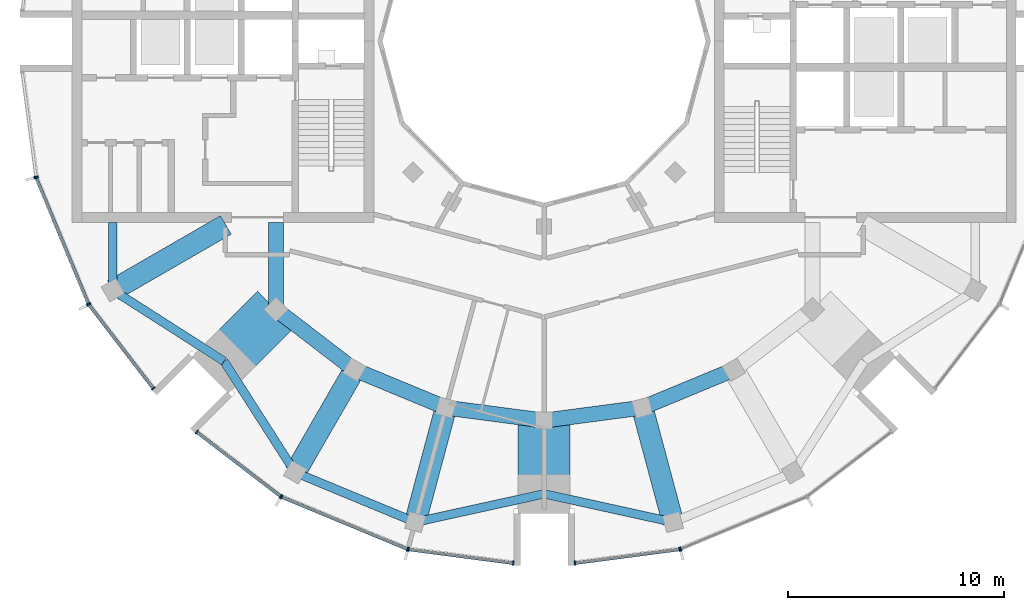
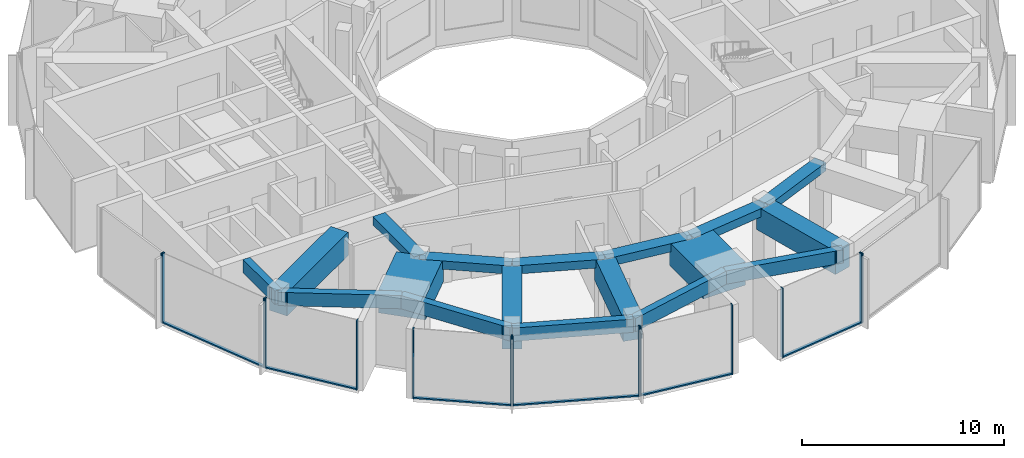
# One storey, part 2 of 14: 20 members, 18 beams, 8 elements without a shape of their own.
"""IFC4 building model written with IfcOpenShell, lengths in metres."""

from ifc_helpers import new_model, si_unit, direction, frame, origin, origin_2d, place, context, subcontext, project, spatial, rectangle, extrude, material, layer, layer_set, material_profile, profile_set, type_object, element, aggregate, save


model = new_model("IFC4")

# Units and contexts
model_context = context("Model", 3, precision=1e-05, world=origin(), true_north=direction((0.0, 1.0)))
body_context = subcontext(model_context, "Body", "Model", "MODEL_VIEW")
ifc_project = project(units=[si_unit("LENGTHUNIT", "METRE"), si_unit("AREAUNIT", "SQUARE_METRE"), si_unit("VOLUMEUNIT", "CUBIC_METRE"), si_unit("PLANEANGLEUNIT", "RADIAN"), si_unit("MASSUNIT", "GRAM", prefix="KILO")], contexts=[model_context])

# Site, building, storey
site_placement = place(None, origin())
site = spatial("IfcSite", under=ifc_project, at=site_placement, CompositionType="ELEMENT")
building_placement = place(site_placement, origin())
building = spatial("IfcBuilding", under=site, at=building_placement, Name="Torre Brocal", CompositionType="ELEMENT")
storey_placement = place(building_placement, frame((0.0, 0.0, 288.300048828125)))
storey = spatial("IfcBuildingStorey", under=building, at=storey_placement, Name="L66", CompositionType="ELEMENT", Elevation=288.300048828125)

# Curtain wall, members
ifc_material_1 = material(Name="Aluminium and glass", Category="aluminium")
ifc_layer_1 = layer(ifc_material_1, 0.199951171875)
ifc_layer_set_1 = layer_set([ifc_layer_1], Name="Aluminium and glass")
curtain_wall_type_1 = type_object("IfcCurtainWallType", Name="CW-1 CURTAIN WALL 4200 HIGH", PredefinedType="NOTDEFINED", material=ifc_layer_set_1)
curtain_wall_1_placement = place(storey_placement, origin())
curtain_wall_1 = element("IfcCurtainWall", 1, at=curtain_wall_1_placement, inside=storey, type_object=curtain_wall_type_1, Name="CW-1 RUN 14", PredefinedType="NOTDEFINED")
ifc_material_2 = material(Name="Aluminium, dark anodised", Category="aluminium")
ifc_material_profile_1 = material_profile(ifc_material_2, rectangle(XDim=0.199951171875, YDim=0.06005859375, at=origin_2d()), Name="CW-1 MULLION 60X200")
ifc_profile_set_1 = profile_set([ifc_material_profile_1], Name="Aluminium, dark anodised")
member_type_1 = type_object("IfcMemberType", Name="CW-1 MULLION 60X200", PredefinedType="MULLION", material=ifc_profile_set_1)
member_1_placement = place(storey_placement, frame((56.443603515625, 68.6572265625, 0.0), z_axis=(0.0, 0.0, 1.0), x_axis=(0.923879532471, 0.382683432462, 0.0)))
member_1 = element("IfcMember", 2, at=member_1_placement, type_object=member_type_1, Name="CW1-5 mullion 1", PredefinedType="MULLION", context=body_context, shape_type="SweptSolid", body=[
    extrude(rectangle(XDim=0.199951171875, YDim=0.06005859375, at=origin_2d()), origin(), (0.0, 0.0, 1.0), 4.199951171875),
])
member_2_placement = place(storey_placement, frame((58.858154296875, 62.828125, 0.0), z_axis=(0.0, 0.0, 1.0), x_axis=(0.923879532471, 0.382683432462, 0.0)))
member_2 = element("IfcMember", 3, at=member_2_placement, type_object=member_type_1, Name="CW1-5 mullion 2", PredefinedType="MULLION", context=body_context, shape_type="SweptSolid", body=[
    extrude(rectangle(XDim=0.199951171875, YDim=0.06005859375, at=origin_2d()), origin(), (0.0, 0.0, 1.0), 4.199951171875),
])

curtain_wall_2_placement = place(storey_placement, origin())
curtain_wall_2 = element("IfcCurtainWall", 4, at=curtain_wall_2_placement, inside=storey, type_object=curtain_wall_type_1, Name="CW-1 RUN 15", PredefinedType="NOTDEFINED")
member_3_placement = place(storey_placement, frame((58.887939453125, 62.776611328125, 0.0), z_axis=(0.0, 0.0, 1.0), x_axis=(0.793353340344, 0.608761428939, 0.0)))
member_3 = element("IfcMember", 5, at=member_3_placement, type_object=member_type_1, Name="CW1-5 mullion 1", PredefinedType="MULLION", context=body_context, shape_type="SweptSolid", body=[
    extrude(rectangle(XDim=0.199951171875, YDim=0.06005859375, at=origin_2d()), origin(), (0.0, 0.0, 1.0), 4.199951171875),
])
member_4_placement = place(storey_placement, frame((61.869384765625, 58.891357421875, 0.0), z_axis=(0.0, 0.0, 1.0), x_axis=(0.793353340344, 0.608761428939, 0.0)))
member_4 = element("IfcMember", 6, at=member_4_placement, type_object=member_type_1, Name="CW1-5 mullion 2", PredefinedType="MULLION", context=body_context, shape_type="SweptSolid", body=[
    extrude(rectangle(XDim=0.199951171875, YDim=0.06005859375, at=origin_2d()), origin(), (0.0, 0.0, 1.0), 4.199951171875),
])

curtain_wall_3_placement = place(storey_placement, origin())
curtain_wall_3 = element("IfcCurtainWall", 7, at=curtain_wall_3_placement, inside=storey, type_object=curtain_wall_type_1, Name="CW-1 RUN 16", PredefinedType="NOTDEFINED")
member_5_placement = place(storey_placement, frame((63.891357421875, 56.869384765625, 0.0), z_axis=(0.0, 0.0, 1.0), x_axis=(0.608761428939, 0.793353340344, 0.0)))
member_5 = element("IfcMember", 8, at=member_5_placement, type_object=member_type_1, Name="CW1-5 mullion 1", PredefinedType="MULLION", context=body_context, shape_type="SweptSolid", body=[
    extrude(rectangle(XDim=0.199951171875, YDim=0.06005859375, at=origin_2d()), origin(), (0.0, 0.0, 1.0), 4.199951171875),
])
member_6_placement = place(storey_placement, frame((67.776611328125, 53.887939453125, 0.0), z_axis=(0.0, 0.0, 1.0), x_axis=(0.608761428939, 0.793353340344, 0.0)))
member_6 = element("IfcMember", 9, at=member_6_placement, type_object=member_type_1, Name="CW1-5 mullion 2", PredefinedType="MULLION", context=body_context, shape_type="SweptSolid", body=[
    extrude(rectangle(XDim=0.199951171875, YDim=0.06005859375, at=origin_2d()), origin(), (0.0, 0.0, 1.0), 4.199951171875),
])

curtain_wall_4_placement = place(storey_placement, origin())
curtain_wall_4 = element("IfcCurtainWall", 10, at=curtain_wall_4_placement, inside=storey, type_object=curtain_wall_type_1, Name="CW-1 RUN 17", PredefinedType="NOTDEFINED")
member_7_placement = place(storey_placement, frame((67.828125, 53.858154296875, 0.0), z_axis=(0.0, 0.0, 1.0), x_axis=(0.382683432462, 0.923879532471, 0.0)))
member_7 = element("IfcMember", 11, at=member_7_placement, type_object=member_type_1, Name="CW1-5 mullion 1", PredefinedType="MULLION", context=body_context, shape_type="SweptSolid", body=[
    extrude(rectangle(XDim=0.199951171875, YDim=0.06005859375, at=origin_2d()), origin(), (0.0, 0.0, 1.0), 4.199951171875),
])
member_8_placement = place(storey_placement, frame((73.6572265625, 51.443603515625, 0.0), z_axis=(0.0, 0.0, 1.0), x_axis=(0.382683432462, 0.923879532471, 0.0)))
member_8 = element("IfcMember", 12, at=member_8_placement, type_object=member_type_1, Name="CW1-5 mullion 2", PredefinedType="MULLION", context=body_context, shape_type="SweptSolid", body=[
    extrude(rectangle(XDim=0.199951171875, YDim=0.06005859375, at=origin_2d()), origin(), (0.0, 0.0, 1.0), 4.199951171875),
])

curtain_wall_5_placement = place(storey_placement, origin())
curtain_wall_5 = element("IfcCurtainWall", 13, at=curtain_wall_5_placement, inside=storey, type_object=curtain_wall_type_1, Name="CW-1 RUN 18", PredefinedType="NOTDEFINED")
member_9_placement = place(storey_placement, frame((73.71484375, 51.42822265625, 0.0), z_axis=(0.0, 0.0, 1.0), x_axis=(0.130526192116, 0.991444861387, 0.0)))
member_9 = element("IfcMember", 14, at=member_9_placement, type_object=member_type_1, Name="CW1-5 mullion 1", PredefinedType="MULLION", context=body_context, shape_type="SweptSolid", body=[
    extrude(rectangle(XDim=0.199951171875, YDim=0.06005859375, at=origin_2d()), origin(), (0.0, 0.0, 1.0), 4.199951171875),
])
member_10_placement = place(storey_placement, frame((78.5703125, 50.7890625, 0.0), z_axis=(0.0, 0.0, 1.0), x_axis=(0.130526192116, 0.991444861387, 0.0)))
member_10 = element("IfcMember", 15, at=member_10_placement, type_object=member_type_1, Name="CW1-5 mullion 2", PredefinedType="MULLION", context=body_context, shape_type="SweptSolid", body=[
    extrude(rectangle(XDim=0.199951171875, YDim=0.06005859375, at=origin_2d()), origin(), (0.0, 0.0, 1.0), 4.199951171875),
])

curtain_wall_6_placement = place(storey_placement, origin())
curtain_wall_6 = element("IfcCurtainWall", 16, at=curtain_wall_6_placement, inside=storey, type_object=curtain_wall_type_1, Name="CW-1 RUN 19", PredefinedType="NOTDEFINED")
member_11_placement = place(storey_placement, frame((81.4296875, 50.7890625, 0.0), z_axis=(0.0, 0.0, 1.0), x_axis=(-0.130526192116, 0.991444861387, 0.0)))
member_11 = element("IfcMember", 17, at=member_11_placement, type_object=member_type_1, Name="CW1-5 mullion 1", PredefinedType="MULLION", context=body_context, shape_type="SweptSolid", body=[
    extrude(rectangle(XDim=0.199951171875, YDim=0.06005859375, at=origin_2d()), origin(), (0.0, 0.0, 1.0), 4.199951171875),
])
member_12_placement = place(storey_placement, frame((86.28515625, 51.42822265625, 0.0), z_axis=(0.0, 0.0, 1.0), x_axis=(-0.130526192116, 0.991444861387, 0.0)))
member_12 = element("IfcMember", 18, at=member_12_placement, type_object=member_type_1, Name="CW1-5 mullion 2", PredefinedType="MULLION", context=body_context, shape_type="SweptSolid", body=[
    extrude(rectangle(XDim=0.199951171875, YDim=0.06005859375, at=origin_2d()), origin(), (0.0, 0.0, 1.0), 4.199951171875),
])

# Curtain wall, member
curtain_wall_7_placement = place(storey_placement, origin())
curtain_wall_7 = element("IfcCurtainWall", 19, at=curtain_wall_7_placement, inside=storey, type_object=curtain_wall_type_1, Name="CW-1 RUN 20", PredefinedType="NOTDEFINED")
member_13_placement = place(storey_placement, frame((86.3427734375, 51.443603515625, 0.0), z_axis=(0.0, 0.0, 1.0), x_axis=(-0.382683432462, 0.923879532471, 0.0)))
member_13 = element("IfcMember", 20, at=member_13_placement, type_object=member_type_1, Name="CW1-5 mullion 1", PredefinedType="MULLION", context=body_context, shape_type="SweptSolid", body=[
    extrude(rectangle(XDim=0.199951171875, YDim=0.06005859375, at=origin_2d()), origin(), (0.0, 0.0, 1.0), 4.199951171875),
])
aggregate(curtain_wall_7, [member_13])

# Member
ifc_material_3 = material(Name="Aluminium, dark anodised", Category="aluminium")
ifc_material_profile_2 = material_profile(ifc_material_3, rectangle(XDim=0.159912109375, YDim=0.080078125, at=origin_2d()), Name="CW-1 TRANSOM 160X80")
ifc_profile_set_2 = profile_set([ifc_material_profile_2], Name="Aluminium, dark anodised")
member_type_2 = type_object("IfcMemberType", Name="CW-1 TRANSOM 160X80", PredefinedType="USERDEFINED", material=ifc_profile_set_2)
member_14_placement = place(storey_placement, frame((56.455322265625, 68.629638671875, 0.0400390625), z_axis=(0.382658872004, -0.923889705363, 0.0), x_axis=(0.923889705363, 0.382658872004, 0.0)))
member_14 = element("IfcMember", 21, at=member_14_placement, type_object=member_type_2, Name="CW1-5 transom 1.1", ObjectType="TRANSOM", PredefinedType="USERDEFINED", context=body_context, shape_type="SweptSolid", body=[
    extrude(rectangle(XDim=0.159912109375, YDim=0.080078125, at=origin_2d()), origin(), (0.0, 0.0, 1.0), 6.249267578125),
])

aggregate(curtain_wall_1, [member_1, member_2, member_14])

member_15_placement = place(storey_placement, frame((58.90625, 62.7529296875, 0.0400390625), z_axis=(0.608749350163, -0.793362608569, 0.0), x_axis=(0.793362608569, 0.608749350163, 0.0)))
member_15 = element("IfcMember", 22, at=member_15_placement, type_object=member_type_2, Name="CW1-5 transom 1.1", ObjectType="TRANSOM", PredefinedType="USERDEFINED", context=body_context, shape_type="SweptSolid", body=[
    extrude(rectangle(XDim=0.159912109375, YDim=0.080078125, at=origin_2d()), origin(), (0.0, 0.0, 1.0), 4.83740234375),
])

aggregate(curtain_wall_2, [member_3, member_4, member_15])

member_16_placement = place(storey_placement, frame((63.9150390625, 56.85107421875, 0.0400390625), z_axis=(0.793362608569, -0.608749350163, 0.0), x_axis=(0.608749350163, 0.793362608569, 0.0)))
member_16 = element("IfcMember", 23, at=member_16_placement, type_object=member_type_2, Name="CW1-5 transom 1.1", ObjectType="TRANSOM", PredefinedType="USERDEFINED", context=body_context, shape_type="SweptSolid", body=[
    extrude(rectangle(XDim=0.159912109375, YDim=0.080078125, at=origin_2d()), origin(), (0.0, 0.0, 1.0), 4.83740234375),
])

aggregate(curtain_wall_3, [member_5, member_6, member_16])

member_17_placement = place(storey_placement, frame((67.85595703125, 53.8466796875, 0.0400390625), z_axis=(0.923889705363, -0.382658872004, 0.0), x_axis=(0.382658872004, 0.923889705363, 0.0)))
member_17 = element("IfcMember", 24, at=member_17_placement, type_object=member_type_2, Name="CW1-5 transom 1.1", ObjectType="TRANSOM", PredefinedType="USERDEFINED", context=body_context, shape_type="SweptSolid", body=[
    extrude(rectangle(XDim=0.159912109375, YDim=0.080078125, at=origin_2d()), origin(), (0.0, 0.0, 1.0), 6.249267578125),
])

aggregate(curtain_wall_4, [member_7, member_8, member_17])

member_18_placement = place(storey_placement, frame((73.74462890625, 51.42431640625, 0.0400390625), z_axis=(0.991446047842, -0.130517179786, 0.0), x_axis=(0.130517179786, 0.991446047842, 0.0)))
member_18 = element("IfcMember", 25, at=member_18_placement, type_object=member_type_2, Name="CW1-5 transom 1.1", ObjectType="TRANSOM", PredefinedType="USERDEFINED", context=body_context, shape_type="SweptSolid", body=[
    extrude(rectangle(XDim=0.159912109375, YDim=0.080078125, at=origin_2d()), origin(), (0.0, 0.0, 1.0), 4.837158203125),
])

aggregate(curtain_wall_5, [member_9, member_10, member_18])

member_19_placement = place(storey_placement, frame((81.45947265625, 50.79296875, 0.0400390625), z_axis=(0.991446047842, 0.130517179786, 0.0), x_axis=(-0.130517179786, 0.991446047842, 0.0)))
member_19 = element("IfcMember", 26, at=member_19_placement, type_object=member_type_2, Name="CW1-5 transom 1.1", ObjectType="TRANSOM", PredefinedType="USERDEFINED", context=body_context, shape_type="SweptSolid", body=[
    extrude(rectangle(XDim=0.159912109375, YDim=0.080078125, at=origin_2d()), origin(), (0.0, 0.0, 1.0), 4.837158203125),
])

aggregate(curtain_wall_6, [member_11, member_12, member_19])

# Curtain wall, member
ifc_material_4 = material(Name="Aluminium and glass", Category="aluminium")
ifc_layer_2 = layer(ifc_material_4, 0.199951171875)
ifc_layer_set_2 = layer_set([ifc_layer_2], Name="Aluminium and glass")
curtain_wall_type_2 = type_object("IfcCurtainWallType", Name="CW-1B CURTAIN WALL 4200 HIGH", PredefinedType="NOTDEFINED", material=ifc_layer_set_2)
curtain_wall_8_placement = place(storey_placement, origin())
curtain_wall_8 = element("IfcCurtainWall", 27, at=curtain_wall_8_placement, inside=storey, type_object=curtain_wall_type_2, Name="CW-1B RUN 13", PredefinedType="NOTDEFINED")
ifc_material_5 = material(Name="Aluminium, dark anodised", Category="aluminium")
ifc_material_profile_3 = material_profile(ifc_material_5, rectangle(XDim=0.199951171875, YDim=0.06005859375, at=origin_2d()), Name="CW-1B MULLION 60X200")
ifc_profile_set_3 = profile_set([ifc_material_profile_3], Name="Aluminium, dark anodised")
member_type_3 = type_object("IfcMemberType", Name="CW-1B MULLION 60X200", PredefinedType="MULLION", material=ifc_profile_set_3)
member_20_placement = place(storey_placement, frame((56.42822265625, 68.71484375, 0.0), z_axis=(0.0, 0.0, 1.0), x_axis=(0.991444861387, 0.130526192116, 0.0)))
member_20 = element("IfcMember", 28, at=member_20_placement, type_object=member_type_3, Name="CW1B-5 mullion 2", PredefinedType="MULLION", context=body_context, shape_type="SweptSolid", body=[
    extrude(rectangle(XDim=0.199951171875, YDim=0.06005859375, at=origin_2d()), origin(), (0.0, 0.0, 1.0), 4.199951171875),
])
aggregate(curtain_wall_8, [member_20])

# Beams
ifc_material_6 = material(Name="Concrete C50", Category="concrete")
ifc_material_profile_4 = material_profile(ifc_material_6, rectangle(XDim=0.699951171875, YDim=0.5, at=origin_2d()), Name="RC 700X500")
ifc_profile_set_4 = profile_set([ifc_material_profile_4], Name="Concrete C50")
beam_type_1 = type_object("IfcBeamType", Name="RC BEAM 700X500 C50 TOP 3880", PredefinedType="BEAM", material=ifc_profile_set_4)
beam_1_placement = place(storey_placement, frame((67.554931640625, 62.554931640625, 3.6298828125), z_axis=(0.0, 1.0, 0.0), x_axis=(-1.0, 0.0, 0.0)))
element("IfcBeam", 29, at=beam_1_placement, inside=storey, type_object=beam_type_1, Name="Beam BT-37", PredefinedType="BEAM", context=body_context, shape_type="SweptSolid", body=[
    extrude(rectangle(XDim=0.699951171875, YDim=0.5, at=origin_2d()), origin(), (0.0, 0.0, 1.0), 4.045166015625),
])
beam_2_placement = place(storey_placement, frame((67.554931640625, 62.554931640625, 3.6298828125), z_axis=(0.793358265959, -0.6087550097, 0.0), x_axis=(0.6087550097, 0.793358265959, 0.0)))
element("IfcBeam", 30, at=beam_2_placement, inside=storey, type_object=beam_type_1, Name="Beam BT-37", PredefinedType="BEAM", context=body_context, shape_type="SweptSolid", body=[
    extrude(rectangle(XDim=0.699951171875, YDim=0.5, at=origin_2d()), origin(), (0.0, 0.0, 1.0), 4.594482421875),
])
beam_3_placement = place(storey_placement, frame((71.199951171875, 59.758056640625, 3.6298828125), z_axis=(0.923878240166, -0.382686552348, 0.0), x_axis=(0.382686552348, 0.923878240166, 0.0)))
element("IfcBeam", 31, at=beam_3_placement, inside=storey, type_object=beam_type_1, Name="Beam BT-37", PredefinedType="BEAM", context=body_context, shape_type="SweptSolid", body=[
    extrude(rectangle(XDim=0.699951171875, YDim=0.5, at=origin_2d()), origin(), (0.0, 0.0, 1.0), 4.5947265625),
])
for number, where, z_axis, x_axis, name in (
    (32, (75.44482421875, 57.999755859375, 3.6298828125), (0.991440544449, -0.130558978332, 0.0), (0.130558978332, 0.991440544449, 0.0), "Beam BT-37"),
    (33, (80.0, 57.39990234375, 3.6298828125), (0.991440544449, 0.130558978332, 0.0), (-0.130558978332, 0.991440544449, 0.0), "Beam BT-37"),
):
    element("IfcBeam", number, at=place(storey_placement, frame(where, z_axis=z_axis, x_axis=x_axis)), inside=storey, type_object=beam_type_1, Name=name, PredefinedType="BEAM", context=body_context, shape_type="SweptSolid", body=[
        extrude(rectangle(XDim=0.699951171875, YDim=0.5, at=origin_2d()), origin(), (0.0, 0.0, 1.0), 4.594482421875),
    ])
beam_4_placement = place(storey_placement, frame((84.55517578125, 57.999755859375, 3.6298828125), z_axis=(0.923878240166, 0.382686552348, 0.0), x_axis=(-0.382686552348, 0.923878240166, 0.0)))
element("IfcBeam", 34, at=beam_4_placement, inside=storey, type_object=beam_type_1, Name="Beam BT-37", PredefinedType="BEAM", context=body_context, shape_type="SweptSolid", body=[
    extrude(rectangle(XDim=0.699951171875, YDim=0.5, at=origin_2d()), origin(), (0.0, 0.0, 1.0), 4.5947265625),
])
ifc_material_7 = material(Name="Concrete C50", Category="concrete")
ifc_material_profile_5 = material_profile(ifc_material_7, rectangle(XDim=0.39990234375, YDim=0.800048828125, at=origin_2d()), Name="RC 400X800")
ifc_profile_set_5 = profile_set([ifc_material_profile_5], Name="Concrete C50")
beam_type_2 = type_object("IfcBeamType", Name="RC SPANDREL BEAM 400X800 C50 TOP 3880", PredefinedType="SPANDREL", material=ifc_profile_set_5)
beam_5_placement = place(storey_placement, frame((59.994873046875, 63.449951171875, 3.47998046875), z_axis=(0.0, 1.0, 0.0), x_axis=(-1.0, 0.0, 0.0)))
element("IfcBeam", 35, at=beam_5_placement, inside=storey, type_object=beam_type_2, Name="Beam BT-47", PredefinedType="SPANDREL", context=body_context, shape_type="SweptSolid", body=[
    extrude(rectangle(XDim=0.39990234375, YDim=0.800048828125, at=origin_2d()), origin(), (0.0, 0.0, 1.0), 3.150146484375),
])
for number, where, z_axis, x_axis, name in (
    (36, (59.994873046875, 63.449951171875, 3.47998046875), (0.842328620069, -0.538964280647, 0.0), (0.538964280647, 0.842328620069, 0.0), "Beam BT-47"),
    (37, (65.15087890625, 60.15087890625, 3.47998046875), (0.538964280647, -0.842328620069, 0.0), (0.842328620069, 0.538964280647, 0.0), "Beam BT-47"),
):
    element("IfcBeam", number, at=place(storey_placement, frame(where, z_axis=z_axis, x_axis=x_axis)), inside=storey, type_object=beam_type_2, Name=name, PredefinedType="SPANDREL", context=body_context, shape_type="SweptSolid", body=[
        extrude(rectangle(XDim=0.39990234375, YDim=0.800048828125, at=origin_2d()), origin(), (0.0, 0.0, 1.0), 6.12109375),
    ])
beam_6_placement = place(storey_placement, frame((68.449951171875, 54.994873046875, 3.47998046875), z_axis=(0.923870278372, -0.38270577307, 0.0), x_axis=(0.38270577307, 0.923870278372, 0.0)))
element("IfcBeam", 38, at=beam_6_placement, inside=storey, type_object=beam_type_2, Name="Beam BT-47", PredefinedType="SPANDREL", context=body_context, shape_type="SweptSolid", body=[
    extrude(rectangle(XDim=0.39990234375, YDim=0.800048828125, at=origin_2d()), origin(), (0.0, 0.0, 1.0), 6.0302734375),
])
for number, where, z_axis, x_axis, name in (
    (39, (74.021240234375, 52.68701171875, 3.47998046875), (0.976724578001, 0.214497316366, 0.0), (-0.214497316366, 0.976724578001, 0.0), "Beam BT-47"),
    (40, (80.0, 54.0, 3.47998046875), (0.976724578001, -0.214497316366, 0.0), (0.214497316366, 0.976724578001, 0.0), "Beam BT-47"),
):
    element("IfcBeam", number, at=place(storey_placement, frame(where, z_axis=z_axis, x_axis=x_axis)), inside=storey, type_object=beam_type_2, Name=name, PredefinedType="SPANDREL", context=body_context, shape_type="SweptSolid", body=[
        extrude(rectangle(XDim=0.39990234375, YDim=0.800048828125, at=origin_2d()), origin(), (0.0, 0.0, 1.0), 6.121337890625),
    ])
ifc_material_8 = material(Name="Concrete C60", Category="concrete")
ifc_material_profile_6 = material_profile(ifc_material_8, rectangle(XDim=1.0, YDim=1.39990234375, at=origin_2d()), Name="RC 1000X1400")
ifc_profile_set_6 = profile_set([ifc_material_profile_6], Name="Concrete C60")
beam_type_3 = type_object("IfcBeamType", Name="RC TRANSFER GIRDER 1000X1400 C60 TOP 3880", PredefinedType="BEAM", material=ifc_profile_set_6)
beam_7_placement = place(storey_placement, frame((65.234375, 66.47509765625, 3.179931640625), z_axis=(-0.866016913815, -0.50001470477, 0.0), x_axis=(0.50001470477, -0.866016913815, 0.0)))
element("IfcBeam", 41, at=beam_7_placement, inside=storey, type_object=beam_type_3, Name="Beam TG-07", PredefinedType="BEAM", context=body_context, shape_type="SweptSolid", body=[
    extrude(rectangle(XDim=1.0, YDim=1.39990234375, at=origin_2d()), origin(), (0.0, 0.0, 1.0), 6.050048828125),
])
beam_8_placement = place(storey_placement, frame((71.199951171875, 59.758056640625, 3.179931640625), z_axis=(-0.499996545922, -0.866027397988, 0.0), x_axis=(0.866027397988, -0.499996545922, 0.0)))
element("IfcBeam", 42, at=beam_8_placement, inside=storey, type_object=beam_type_3, Name="Beam TG-07", PredefinedType="BEAM", context=body_context, shape_type="SweptSolid", body=[
    extrude(rectangle(XDim=1.0, YDim=1.39990234375, at=origin_2d()), origin(), (0.0, 0.0, 1.0), 5.5),
])
for number, where, z_axis, x_axis, name in (
    (43, (75.44482421875, 57.999755859375, 3.179931640625), (-0.258825572984, -0.965924077125, 0.0), (0.965924077125, -0.258825572984, 0.0), "Beam TG-07"),
    (44, (84.55517578125, 57.999755859375, 3.179931640625), (0.258825572984, -0.965924077125, 0.0), (0.965924077125, 0.258825572984, 0.0), "Beam TG-07"),
):
    element("IfcBeam", number, at=place(storey_placement, frame(where, z_axis=z_axis, x_axis=x_axis)), inside=storey, type_object=beam_type_3, Name=name, PredefinedType="BEAM", context=body_context, shape_type="SweptSolid", body=[
        extrude(rectangle(XDim=1.0, YDim=1.39990234375, at=origin_2d()), origin(), (0.0, 0.0, 1.0), 5.500244140625),
    ])
ifc_material_9 = material(Name="Concrete C60", Category="concrete")
ifc_material_profile_7 = material_profile(ifc_material_9, rectangle(XDim=2.39990234375, YDim=1.39990234375, at=origin_2d()), Name="RC 2400X1400")
ifc_profile_set_7 = profile_set([ifc_material_profile_7], Name="Concrete C60")
beam_type_4 = type_object("IfcBeamType", Name="RC TRANSFER GIRDER 2400X1400 C60 TOP 3880", PredefinedType="BEAM", material=ifc_profile_set_7)
for number, where, z_axis, x_axis, name in (
    (45, (67.554931640625, 62.554931640625, 3.179931640625), (-0.707106781187, -0.707106781187, 0.0), (0.707106781187, -0.707106781187, 0.0), "Beam TG-08"),
    (46, (80.0, 57.39990234375, 3.179931640625), (0.0, -1.0, 0.0), (1.0, 0.0, 0.0), "Beam TG-08"),
):
    element("IfcBeam", number, at=place(storey_placement, frame(where, z_axis=z_axis, x_axis=x_axis)), inside=storey, type_object=beam_type_4, Name=name, PredefinedType="BEAM", context=body_context, shape_type="SweptSolid", body=[
        extrude(rectangle(XDim=2.39990234375, YDim=1.39990234375, at=origin_2d()), origin(), (0.0, 0.0, 1.0), 3.39990234375),
    ])

save(model, "model.ifc")
